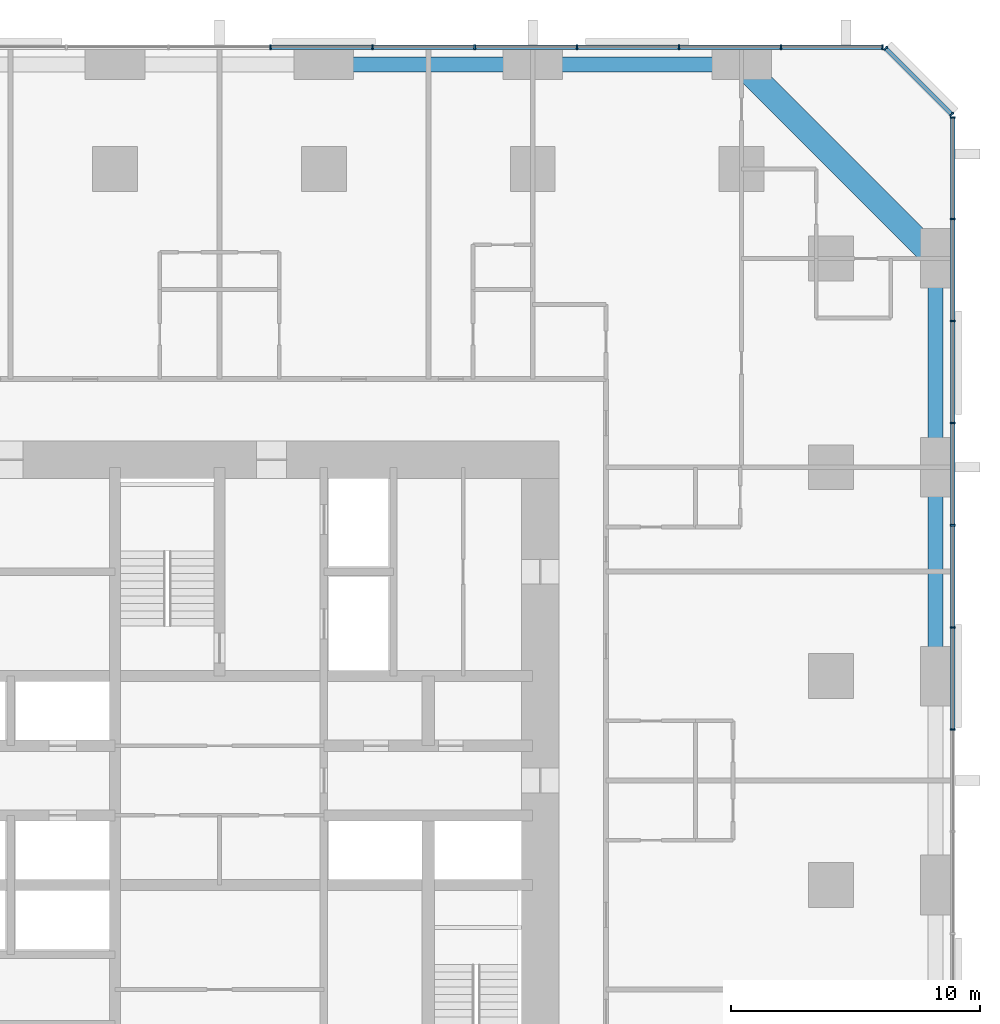
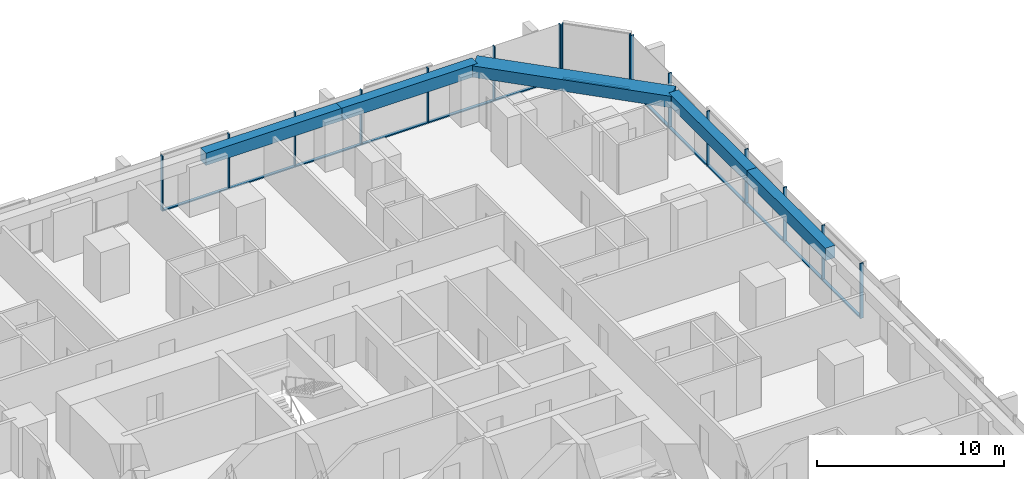
# One storey, part 8 of 17: 29 members, 5 beams, 3 elements without a shape of their own.
"""IFC4 building model written with IfcOpenShell, lengths in metres."""

from ifc_helpers import new_model, si_unit, direction, frame, origin, origin_2d, place, context, subcontext, project, spatial, rectangle, extrude, material, material_profile, profile_set, type_object, element, aggregate, save


model = new_model("IFC4")

# Units and contexts
model_context = context("Model", 3, precision=1e-05, world=origin(), true_north=direction((0.0, 1.0)))
body_context = subcontext(model_context, "Body", "Model", "MODEL_VIEW")
ifc_project = project(units=[si_unit("LENGTHUNIT", "METRE"), si_unit("AREAUNIT", "SQUARE_METRE"), si_unit("VOLUMEUNIT", "CUBIC_METRE"), si_unit("PLANEANGLEUNIT", "RADIAN"), si_unit("MASSUNIT", "GRAM", prefix="KILO")], contexts=[model_context])

# Site, building, storey
site_placement = place(None, origin())
site = spatial("IfcSite", under=ifc_project, at=site_placement, CompositionType="ELEMENT")
building_placement = place(site_placement, origin())
building = spatial("IfcBuilding", under=site, at=building_placement, Name="Dunama Terrace Hotel", CompositionType="ELEMENT")
storey_placement = place(building_placement, frame((0.0, 0.0, 73.800048828125)))
storey = spatial("IfcBuildingStorey", under=building, at=storey_placement, Name="L18", CompositionType="ELEMENT", Elevation=73.800048828125)

# Curtain wall, members
ifc_material_1 = material(Name="Aluminium curtain wall system", Category="aluminium")
curtain_wall_type = type_object("IfcCurtainWallType", Name="Unitised fritted glass wall CW-A", PredefinedType="NOTDEFINED", material=ifc_material_1)
curtain_wall_1_placement = place(storey_placement, origin())
curtain_wall_1 = element("IfcCurtainWall", 1, at=curtain_wall_1_placement, inside=storey, type_object=curtain_wall_type, Name="Unitised fritted glass wall CW-A L18", PredefinedType="NOTDEFINED")
ifc_material_2 = material(Name="Aluminium mullion", Category="aluminium")
ifc_material_profile_1 = material_profile(ifc_material_2, rectangle(XDim=0.06494140625, YDim=0.199951171875, at=origin_2d()), Name="CWA MULLION 65X200")
ifc_profile_set_1 = profile_set([ifc_material_profile_1], Name="Aluminium mullion")
member_type_1 = type_object("IfcMemberType", Name="CWA mullion 65x200", PredefinedType="MULLION", material=ifc_profile_set_1)
member_1_placement = place(storey_placement, frame((58.89990234375, 31.4541015625, 0.0), z_axis=(0.0, 0.0, 1.0), x_axis=(0.0, 1.0, 0.0)))
member_1 = element("IfcMember", 2, at=member_1_placement, type_object=member_type_1, Name="CWA mullion", PredefinedType="MULLION", context=body_context, shape_type="SweptSolid", body=[
    extrude(rectangle(XDim=0.06494140625, YDim=0.199951171875, at=origin_2d()), origin(), (0.0, 0.0, 1.0), 3.599853515625),
])
member_2_placement = place(storey_placement, frame((58.89990234375, 35.56201171875, 0.0), z_axis=(0.0, 0.0, 1.0), x_axis=(0.0, 1.0, 0.0)))
member_2 = element("IfcMember", 3, at=member_2_placement, type_object=member_type_1, Name="CWA mullion", PredefinedType="MULLION", context=body_context, shape_type="SweptSolid", body=[
    extrude(rectangle(XDim=0.06494140625, YDim=0.199951171875, at=origin_2d()), origin(), (0.0, 0.0, 1.0), 3.599853515625),
])
member_3_placement = place(storey_placement, frame((58.89990234375, 39.6689453125, 0.0), z_axis=(0.0, 0.0, 1.0), x_axis=(0.0, 1.0, 0.0)))
member_3 = element("IfcMember", 4, at=member_3_placement, type_object=member_type_1, Name="CWA mullion", PredefinedType="MULLION", context=body_context, shape_type="SweptSolid", body=[
    extrude(rectangle(XDim=0.06494140625, YDim=0.199951171875, at=origin_2d()), origin(), (0.0, 0.0, 1.0), 3.599853515625),
])
member_4_placement = place(storey_placement, frame((58.89990234375, 43.777099609375, 0.0), z_axis=(0.0, 0.0, 1.0), x_axis=(0.0, 1.0, 0.0)))
member_4 = element("IfcMember", 5, at=member_4_placement, type_object=member_type_1, Name="CWA mullion", PredefinedType="MULLION", context=body_context, shape_type="SweptSolid", body=[
    extrude(rectangle(XDim=0.06494140625, YDim=0.199951171875, at=origin_2d()), origin(), (0.0, 0.0, 1.0), 3.599853515625),
])
member_5_placement = place(storey_placement, frame((58.89990234375, 47.885009765625, 0.0), z_axis=(0.0, 0.0, 1.0), x_axis=(0.0, 1.0, 0.0)))
member_5 = element("IfcMember", 6, at=member_5_placement, type_object=member_type_1, Name="CWA mullion", PredefinedType="MULLION", context=body_context, shape_type="SweptSolid", body=[
    extrude(rectangle(XDim=0.06494140625, YDim=0.199951171875, at=origin_2d()), origin(), (0.0, 0.0, 1.0), 3.599853515625),
])
member_6_placement = place(storey_placement, frame((58.89990234375, 51.991943359375, 0.0), z_axis=(0.0, 0.0, 1.0), x_axis=(0.0, 1.0, 0.0)))
member_6 = element("IfcMember", 7, at=member_6_placement, type_object=member_type_1, Name="CWA mullion", PredefinedType="MULLION", context=body_context, shape_type="SweptSolid", body=[
    extrude(rectangle(XDim=0.06494140625, YDim=0.199951171875, at=origin_2d()), origin(), (0.0, 0.0, 1.0), 3.599853515625),
])
member_7_placement = place(storey_placement, frame((58.89990234375, 56.06689453125, 0.0), z_axis=(0.0, 0.0, 1.0), x_axis=(0.0, 1.0, 0.0)))
member_7 = element("IfcMember", 8, at=member_7_placement, type_object=member_type_1, Name="CWA mullion", PredefinedType="MULLION", context=body_context, shape_type="SweptSolid", body=[
    extrude(rectangle(XDim=0.06494140625, YDim=0.199951171875, at=origin_2d()), origin(), (0.0, 0.0, 1.0), 3.599853515625),
])

curtain_wall_2_placement = place(storey_placement, origin())
curtain_wall_2 = element("IfcCurtainWall", 9, at=curtain_wall_2_placement, inside=storey, type_object=curtain_wall_type, Name="Unitised fritted glass wall CW-A L18", PredefinedType="NOTDEFINED")
member_8_placement = place(storey_placement, frame((58.847900390625, 56.194091796875, 0.0), z_axis=(0.0, 0.0, 1.0), x_axis=(-0.707106781187, 0.707106781187, 0.0)))
member_8 = element("IfcMember", 10, at=member_8_placement, type_object=member_type_1, Name="CWA mullion", PredefinedType="MULLION", context=body_context, shape_type="SweptSolid", body=[
    extrude(rectangle(XDim=0.06494140625, YDim=0.199951171875, at=origin_2d()), origin(), (0.0, 0.0, 1.0), 3.599853515625),
])
member_9_placement = place(storey_placement, frame((56.194091796875, 58.847900390625, 0.0), z_axis=(0.0, 0.0, 1.0), x_axis=(-0.707106781187, 0.707106781187, 0.0)))
member_9 = element("IfcMember", 11, at=member_9_placement, type_object=member_type_1, Name="CWA mullion", PredefinedType="MULLION", context=body_context, shape_type="SweptSolid", body=[
    extrude(rectangle(XDim=0.06494140625, YDim=0.199951171875, at=origin_2d()), origin(), (0.0, 0.0, 1.0), 3.599853515625),
])

curtain_wall_3_placement = place(storey_placement, origin())
curtain_wall_3 = element("IfcCurtainWall", 12, at=curtain_wall_3_placement, inside=storey, type_object=curtain_wall_type, Name="Unitised fritted glass wall CW-A L18", PredefinedType="NOTDEFINED")
member_10_placement = place(storey_placement, frame((56.06689453125, 58.89990234375, 0.0), z_axis=(0.0, 0.0, 1.0), x_axis=(-1.0, 0.0, 0.0)))
member_10 = element("IfcMember", 13, at=member_10_placement, type_object=member_type_1, Name="CWA mullion", PredefinedType="MULLION", context=body_context, shape_type="SweptSolid", body=[
    extrude(rectangle(XDim=0.06494140625, YDim=0.199951171875, at=origin_2d()), origin(), (0.0, 0.0, 1.0), 3.599853515625),
])
member_11_placement = place(storey_placement, frame((51.991943359375, 58.89990234375, 0.0), z_axis=(0.0, 0.0, 1.0), x_axis=(-1.0, 0.0, 0.0)))
member_11 = element("IfcMember", 14, at=member_11_placement, type_object=member_type_1, Name="CWA mullion", PredefinedType="MULLION", context=body_context, shape_type="SweptSolid", body=[
    extrude(rectangle(XDim=0.06494140625, YDim=0.199951171875, at=origin_2d()), origin(), (0.0, 0.0, 1.0), 3.599853515625),
])
member_12_placement = place(storey_placement, frame((47.885009765625, 58.89990234375, 0.0), z_axis=(0.0, 0.0, 1.0), x_axis=(-1.0, 0.0, 0.0)))
member_12 = element("IfcMember", 15, at=member_12_placement, type_object=member_type_1, Name="CWA mullion", PredefinedType="MULLION", context=body_context, shape_type="SweptSolid", body=[
    extrude(rectangle(XDim=0.06494140625, YDim=0.199951171875, at=origin_2d()), origin(), (0.0, 0.0, 1.0), 3.599853515625),
])
member_13_placement = place(storey_placement, frame((43.777099609375, 58.89990234375, 0.0), z_axis=(0.0, 0.0, 1.0), x_axis=(-1.0, 0.0, 0.0)))
member_13 = element("IfcMember", 16, at=member_13_placement, type_object=member_type_1, Name="CWA mullion", PredefinedType="MULLION", context=body_context, shape_type="SweptSolid", body=[
    extrude(rectangle(XDim=0.06494140625, YDim=0.199951171875, at=origin_2d()), origin(), (0.0, 0.0, 1.0), 3.599853515625),
])
member_14_placement = place(storey_placement, frame((39.6689453125, 58.89990234375, 0.0), z_axis=(0.0, 0.0, 1.0), x_axis=(-1.0, 0.0, 0.0)))
member_14 = element("IfcMember", 17, at=member_14_placement, type_object=member_type_1, Name="CWA mullion", PredefinedType="MULLION", context=body_context, shape_type="SweptSolid", body=[
    extrude(rectangle(XDim=0.06494140625, YDim=0.199951171875, at=origin_2d()), origin(), (0.0, 0.0, 1.0), 3.599853515625),
])
member_15_placement = place(storey_placement, frame((35.56201171875, 58.89990234375, 0.0), z_axis=(0.0, 0.0, 1.0), x_axis=(-1.0, 0.0, 0.0)))
member_15 = element("IfcMember", 18, at=member_15_placement, type_object=member_type_1, Name="CWA mullion", PredefinedType="MULLION", context=body_context, shape_type="SweptSolid", body=[
    extrude(rectangle(XDim=0.06494140625, YDim=0.199951171875, at=origin_2d()), origin(), (0.0, 0.0, 1.0), 3.599853515625),
])
member_16_placement = place(storey_placement, frame((31.4541015625, 58.89990234375, 0.0), z_axis=(0.0, 0.0, 1.0), x_axis=(-1.0, 0.0, 0.0)))
member_16 = element("IfcMember", 19, at=member_16_placement, type_object=member_type_1, Name="CWA mullion", PredefinedType="MULLION", context=body_context, shape_type="SweptSolid", body=[
    extrude(rectangle(XDim=0.06494140625, YDim=0.199951171875, at=origin_2d()), origin(), (0.0, 0.0, 1.0), 3.599853515625),
])

# Member
ifc_material_3 = material(Name="Aluminium transom", Category="aluminium")
ifc_material_profile_2 = material_profile(ifc_material_3, rectangle(XDim=0.179931640625, YDim=0.074951171875, at=origin_2d()), Name="CWA TRANSOM 180X75")
ifc_profile_set_2 = profile_set([ifc_material_profile_2], Name="Aluminium transom")
member_type_2 = type_object("IfcMemberType", Name="CWA transom 180x75", PredefinedType="USERDEFINED", material=ifc_profile_set_2)
member_17_placement = place(storey_placement, frame((58.89990234375, 31.486083984375, 0.037353515625), z_axis=(0.0, 1.0, 0.0), x_axis=(-1.0, 0.0, 0.0)))
member_17 = element("IfcMember", 20, at=member_17_placement, type_object=member_type_2, Name="CWA transom", ObjectType="TRANSOM", PredefinedType="USERDEFINED", context=body_context, shape_type="SweptSolid", body=[
    extrude(rectangle(XDim=0.179931640625, YDim=0.074951171875, at=origin_2d()), origin(), (0.0, 0.0, 1.0), 4.04296875),
])

member_18_placement = place(storey_placement, frame((58.89990234375, 35.593994140625, 0.037353515625), z_axis=(0.0, 1.0, 0.0), x_axis=(-1.0, 0.0, 0.0)))
member_18 = element("IfcMember", 21, at=member_18_placement, type_object=member_type_2, Name="CWA transom", ObjectType="TRANSOM", PredefinedType="USERDEFINED", context=body_context, shape_type="SweptSolid", body=[
    extrude(rectangle(XDim=0.179931640625, YDim=0.074951171875, at=origin_2d()), origin(), (0.0, 0.0, 1.0), 4.04296875),
])

member_19_placement = place(storey_placement, frame((58.89990234375, 39.701904296875, 0.037353515625), z_axis=(0.0, 1.0, 0.0), x_axis=(-1.0, 0.0, 0.0)))
member_19 = element("IfcMember", 22, at=member_19_placement, type_object=member_type_2, Name="CWA transom", ObjectType="TRANSOM", PredefinedType="USERDEFINED", context=body_context, shape_type="SweptSolid", body=[
    extrude(rectangle(XDim=0.179931640625, YDim=0.074951171875, at=origin_2d()), origin(), (0.0, 0.0, 1.0), 4.0419921875),
])

member_20_placement = place(storey_placement, frame((58.89990234375, 43.80908203125, 0.037353515625), z_axis=(0.0, 1.0, 0.0), x_axis=(-1.0, 0.0, 0.0)))
member_20 = element("IfcMember", 23, at=member_20_placement, type_object=member_type_2, Name="CWA transom", ObjectType="TRANSOM", PredefinedType="USERDEFINED", context=body_context, shape_type="SweptSolid", body=[
    extrude(rectangle(XDim=0.179931640625, YDim=0.074951171875, at=origin_2d()), origin(), (0.0, 0.0, 1.0), 4.04296875),
])

member_21_placement = place(storey_placement, frame((58.89990234375, 47.9169921875, 0.037353515625), z_axis=(0.0, 1.0, 0.0), x_axis=(-1.0, 0.0, 0.0)))
member_21 = element("IfcMember", 24, at=member_21_placement, type_object=member_type_2, Name="CWA transom", ObjectType="TRANSOM", PredefinedType="USERDEFINED", context=body_context, shape_type="SweptSolid", body=[
    extrude(rectangle(XDim=0.179931640625, YDim=0.074951171875, at=origin_2d()), origin(), (0.0, 0.0, 1.0), 4.04296875),
])

member_22_placement = place(storey_placement, frame((58.89990234375, 52.02490234375, 0.037353515625), z_axis=(0.0, 1.0, 0.0), x_axis=(-1.0, 0.0, 0.0)))
member_22 = element("IfcMember", 25, at=member_22_placement, type_object=member_type_2, Name="CWA transom", ObjectType="TRANSOM", PredefinedType="USERDEFINED", context=body_context, shape_type="SweptSolid", body=[
    extrude(rectangle(XDim=0.179931640625, YDim=0.074951171875, at=origin_2d()), origin(), (0.0, 0.0, 1.0), 4.010009765625),
])

aggregate(curtain_wall_1, [member_1, member_2, member_3, member_4, member_5, member_6, member_7, member_17, member_18, member_19, member_20, member_21, member_22])

member_23_placement = place(storey_placement, frame((58.824951171875, 56.217041015625, 0.037353515625), z_axis=(-0.707106781187, 0.707106781187, 0.0), x_axis=(-0.707106781187, -0.707106781187, 0.0)))
member_23 = element("IfcMember", 26, at=member_23_placement, type_object=member_type_2, Name="CWA transom", ObjectType="TRANSOM", PredefinedType="USERDEFINED", context=body_context, shape_type="SweptSolid", body=[
    extrude(rectangle(XDim=0.179931640625, YDim=0.074951171875, at=origin_2d()), origin(), (0.0, 0.0, 1.0), 3.688232421875),
])

aggregate(curtain_wall_2, [member_8, member_9, member_23])

member_24_placement = place(storey_placement, frame((56.034912109375, 58.89990234375, 0.037353515625), z_axis=(-1.0, 0.0, 0.0), x_axis=(0.0, -1.0, 0.0)))
member_24 = element("IfcMember", 27, at=member_24_placement, type_object=member_type_2, Name="CWA transom", ObjectType="TRANSOM", PredefinedType="USERDEFINED", context=body_context, shape_type="SweptSolid", body=[
    extrude(rectangle(XDim=0.179931640625, YDim=0.074951171875, at=origin_2d()), origin(), (0.0, 0.0, 1.0), 4.010009765625),
])

member_25_placement = place(storey_placement, frame((51.9599609375, 58.89990234375, 0.037353515625), z_axis=(-1.0, 0.0, 0.0), x_axis=(0.0, -1.0, 0.0)))
member_25 = element("IfcMember", 28, at=member_25_placement, type_object=member_type_2, Name="CWA transom", ObjectType="TRANSOM", PredefinedType="USERDEFINED", context=body_context, shape_type="SweptSolid", body=[
    extrude(rectangle(XDim=0.179931640625, YDim=0.074951171875, at=origin_2d()), origin(), (0.0, 0.0, 1.0), 4.04296875),
])

member_26_placement = place(storey_placement, frame((47.85205078125, 58.89990234375, 0.037353515625), z_axis=(-1.0, 0.0, 0.0), x_axis=(0.0, -1.0, 0.0)))
member_26 = element("IfcMember", 29, at=member_26_placement, type_object=member_type_2, Name="CWA transom", ObjectType="TRANSOM", PredefinedType="USERDEFINED", context=body_context, shape_type="SweptSolid", body=[
    extrude(rectangle(XDim=0.179931640625, YDim=0.074951171875, at=origin_2d()), origin(), (0.0, 0.0, 1.0), 4.04296875),
])

member_27_placement = place(storey_placement, frame((43.743896484375, 58.89990234375, 0.037353515625), z_axis=(-1.0, 0.0, 0.0), x_axis=(0.0, -1.0, 0.0)))
member_27 = element("IfcMember", 30, at=member_27_placement, type_object=member_type_2, Name="CWA transom", ObjectType="TRANSOM", PredefinedType="USERDEFINED", context=body_context, shape_type="SweptSolid", body=[
    extrude(rectangle(XDim=0.179931640625, YDim=0.074951171875, at=origin_2d()), origin(), (0.0, 0.0, 1.0), 4.0419921875),
])

member_28_placement = place(storey_placement, frame((39.636962890625, 58.89990234375, 0.037353515625), z_axis=(-1.0, 0.0, 0.0), x_axis=(0.0, -1.0, 0.0)))
member_28 = element("IfcMember", 31, at=member_28_placement, type_object=member_type_2, Name="CWA transom", ObjectType="TRANSOM", PredefinedType="USERDEFINED", context=body_context, shape_type="SweptSolid", body=[
    extrude(rectangle(XDim=0.179931640625, YDim=0.074951171875, at=origin_2d()), origin(), (0.0, 0.0, 1.0), 4.04296875),
])

member_29_placement = place(storey_placement, frame((35.529052734375, 58.89990234375, 0.037353515625), z_axis=(-1.0, 0.0, 0.0), x_axis=(0.0, -1.0, 0.0)))
member_29 = element("IfcMember", 32, at=member_29_placement, type_object=member_type_2, Name="CWA transom", ObjectType="TRANSOM", PredefinedType="USERDEFINED", context=body_context, shape_type="SweptSolid", body=[
    extrude(rectangle(XDim=0.179931640625, YDim=0.074951171875, at=origin_2d()), origin(), (0.0, 0.0, 1.0), 4.04296875),
])

aggregate(curtain_wall_3, [member_10, member_11, member_12, member_13, member_14, member_15, member_16, member_24, member_25, member_26, member_27, member_28, member_29])

# Beams
ifc_material_4 = material(Name="Concrete C50/60", Category="concrete")
ifc_material_profile_3 = material_profile(ifc_material_4, rectangle(XDim=1.0, YDim=0.75, at=origin_2d()), Name="RC 1000x750")
ifc_profile_set_3 = profile_set([ifc_material_profile_3], Name="Concrete C50/60")
beam_type_1 = type_object("IfcBeamType", Name="Edge beam RC 1000x750", PredefinedType="SPANDREL", material=ifc_profile_set_3)
beam_placement = place(storey_placement, frame((50.39990234375, 58.199951171875, 3.224853515625), z_axis=(0.707106781187, -0.707106781187, 0.0), x_axis=(0.707106781187, 0.707106781187, 0.0)))
element("IfcBeam", 33, at=beam_placement, inside=storey, type_object=beam_type_1, Name="Corner edge beam under L19", PredefinedType="SPANDREL", context=body_context, shape_type="SweptSolid", body=[
    extrude(rectangle(XDim=1.0, YDim=0.75, at=origin_2d()), origin(), (0.0, 0.0, 1.0), 11.031005859375),
])
ifc_material_5 = material(Name="Concrete C40/50", Category="concrete")
ifc_material_profile_4 = material_profile(ifc_material_5, rectangle(XDim=0.60009765625, YDim=0.800048828125, at=origin_2d()), Name="RC 600x800")
ifc_profile_set_4 = profile_set([ifc_material_profile_4], Name="Concrete C40/50")
beam_type_2 = type_object("IfcBeamType", Name="Edge beam RC 600x800", PredefinedType="SPANDREL", material=ifc_profile_set_4)
for number, where, z_axis, x_axis, name in (
    (34, (58.199951171875, 33.60009765625, 3.199951171875), (0.0, 1.0, 0.0), (-1.0, 0.0, 0.0), "Edge beam under L19"),
    (35, (58.199951171875, 42.0, 3.199951171875), (0.0, 1.0, 0.0), (-1.0, 0.0, 0.0), "Edge beam under L19"),
    (36, (33.60009765625, 58.199951171875, 3.199951171875), (1.0, 0.0, 0.0), (0.0, 1.0, 0.0), "Edge beam under L19"),
    (37, (42.0, 58.199951171875, 3.199951171875), (1.0, 0.0, 0.0), (0.0, 1.0, 0.0), "Edge beam under L19"),
):
    element("IfcBeam", number, at=place(storey_placement, frame(where, z_axis=z_axis, x_axis=x_axis)), inside=storey, type_object=beam_type_2, Name=name, PredefinedType="SPANDREL", context=body_context, shape_type="SweptSolid", body=[
        extrude(rectangle(XDim=0.60009765625, YDim=0.800048828125, at=origin_2d()), origin(), (0.0, 0.0, 1.0), 8.39990234375),
    ])

save(model, "model.ifc")
